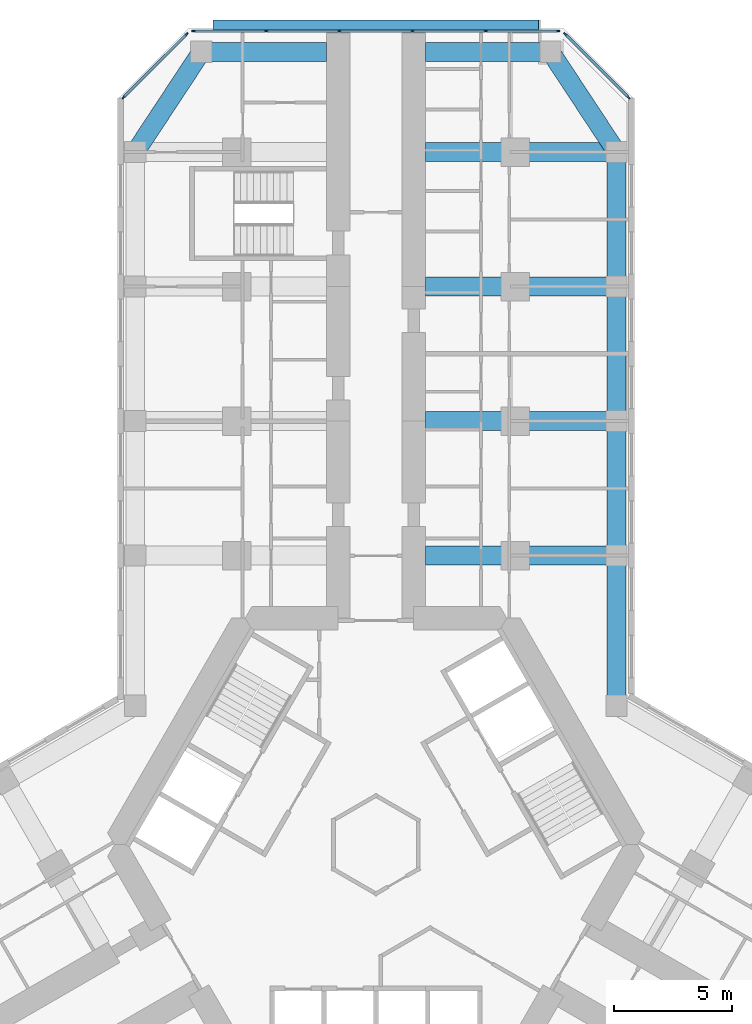
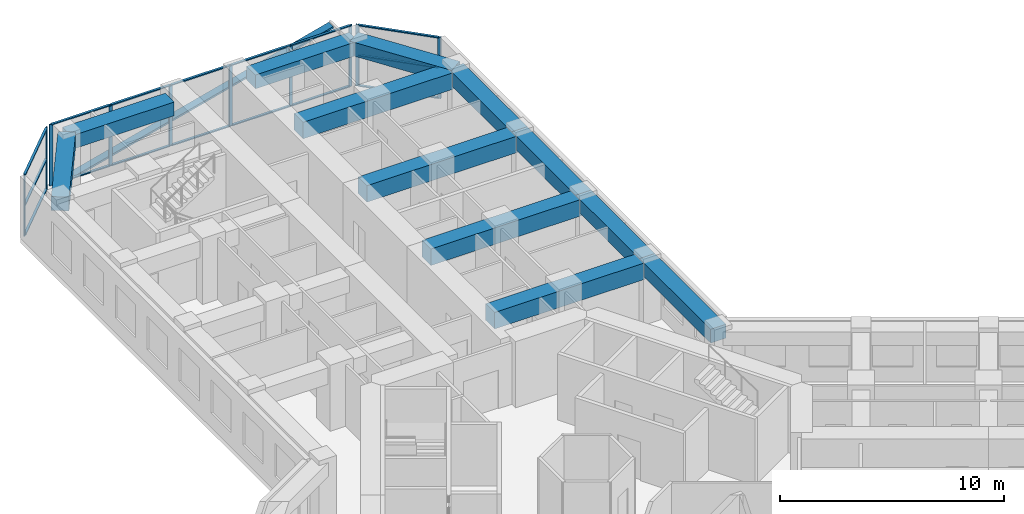
# One storey, part 7 of 21: 27 members, 12 beams, 3 elements without a shape of their own.
"""IFC4 building model written with IfcOpenShell, lengths in metres."""

from ifc_helpers import new_model, si_unit, direction, frame, origin, origin_2d, place, context, subcontext, project, spatial, rectangle, extrude, material, material_profile, profile_set, type_object, element, aggregate, save


model = new_model("IFC4")

# Units and contexts
model_context = context("Model", 3, precision=1e-05, world=origin(), true_north=direction((0.0, 1.0)))
body_context = subcontext(model_context, "Body", "Model", "MODEL_VIEW")
ifc_project = project(units=[si_unit("LENGTHUNIT", "METRE"), si_unit("AREAUNIT", "SQUARE_METRE"), si_unit("VOLUMEUNIT", "CUBIC_METRE"), si_unit("PLANEANGLEUNIT", "RADIAN"), si_unit("MASSUNIT", "GRAM", prefix="KILO")], contexts=[model_context])

# Site, building, storey
site_placement = place(None, origin())
site = spatial("IfcSite", under=ifc_project, at=site_placement, CompositionType="ELEMENT")
building_placement = place(site_placement, origin())
building = spatial("IfcBuilding", under=site, at=building_placement, Name="Kosmar Iwan School Tower", CompositionType="ELEMENT")
storey_placement = place(building_placement, frame((0.0, 0.0, 80.800048828125)))
storey = spatial("IfcBuildingStorey", under=building, at=storey_placement, Name="L19", CompositionType="ELEMENT", Elevation=80.800048828125)

# Member
ifc_material_1 = material(Name="Black anodised aluminium", Category="aluminium")
ifc_material_profile_1 = material_profile(ifc_material_1, rectangle(XDim=0.10009765625, YDim=0.39990234375, at=origin_2d()), Name="FIN 100x400")
ifc_profile_set_1 = profile_set([ifc_material_profile_1], Name="Black anodised aluminium")
member_type_1 = type_object("IfcMemberType", Name="Diagonal fin 100x400", PredefinedType="USERDEFINED", material=ifc_profile_set_1)
member_1_placement = place(storey_placement, frame((-6.898193359375, 34.75, -0.150146484375), z_axis=(0.967599450335, 0.0, 0.252490205179), x_axis=(-0.252490205179, 0.0, 0.967599450335)))
element("IfcMember", 1, at=member_1_placement, inside=storey, type_object=member_type_1, Name="Diagonal fin L19-F08", ObjectType="FIN", PredefinedType="USERDEFINED", context=body_context, shape_type="SweptSolid", body=[
    extrude(rectangle(XDim=0.10009765625, YDim=0.39990234375, at=origin_2d()), origin(), (0.0, 0.0, 1.0), 14.25830078125),
])

# Curtain wall, members
ifc_material_2 = material(Name="Dark glass in black aluminium frame", Category="aluminium")
curtain_wall_type_1 = type_object("IfcCurtainWallType", Name="Chamfer curtain wall dark glass", PredefinedType="USERDEFINED", material=ifc_material_2)
curtain_wall_1_placement = place(storey_placement, origin())
curtain_wall_1 = element("IfcCurtainWall", 2, at=curtain_wall_1_placement, inside=storey, type_object=curtain_wall_type_1, Name="Curtain wall L19-F07", ObjectType="FACETED CURTAIN WALL", PredefinedType="USERDEFINED")
ifc_material_3 = material(Name="Black anodised aluminium", Category="aluminium")
ifc_material_profile_2 = material_profile(ifc_material_3, rectangle(XDim=0.06005859375, YDim=0.159912109375, at=origin_2d()), Name="MULLION 60x160")
ifc_profile_set_2 = profile_set([ifc_material_profile_2], Name="Black anodised aluminium")
member_type_2 = type_object("IfcMemberType", Name="Mullion 60x160", PredefinedType="MULLION", material=ifc_profile_set_2)
member_2_placement = place(storey_placement, frame((10.69775390625, 31.675537109375, 0.0), z_axis=(0.0, 0.0, 1.0), x_axis=(-0.707106781187, -0.707106781187, 0.0)))
member_2 = element("IfcMember", 3, at=member_2_placement, type_object=member_type_2, Name="CW2 mullion 1", PredefinedType="MULLION", context=body_context, shape_type="SweptSolid", body=[
    extrude(rectangle(XDim=0.06005859375, YDim=0.159912109375, at=origin_2d()), origin(), (0.0, 0.0, 1.0), 3.349853515625),
])
member_3_placement = place(storey_placement, frame((8.025390625, 34.34765625, 0.0), z_axis=(0.0, 0.0, 1.0), x_axis=(-0.707106781187, -0.707106781187, 0.0)))
member_3 = element("IfcMember", 4, at=member_3_placement, type_object=member_type_2, Name="CW2 mullion 2", PredefinedType="MULLION", context=body_context, shape_type="SweptSolid", body=[
    extrude(rectangle(XDim=0.06005859375, YDim=0.159912109375, at=origin_2d()), origin(), (0.0, 0.0, 1.0), 3.349853515625),
])

ifc_material_4 = material(Name="Dark glass in black aluminium frame", Category="aluminium")
curtain_wall_type_2 = type_object("IfcCurtainWallType", Name="Tower curtain wall dark glass", PredefinedType="USERDEFINED", material=ifc_material_4)
curtain_wall_2_placement = place(storey_placement, origin())
curtain_wall_2 = element("IfcCurtainWall", 5, at=curtain_wall_2_placement, inside=storey, type_object=curtain_wall_type_2, Name="Curtain wall L19-F08", ObjectType="UNITISED CURTAIN WALL", PredefinedType="USERDEFINED")
member_4_placement = place(storey_placement, frame((7.71826171875, 34.47509765625, 0.0), z_axis=(0.0, 0.0, 1.0), x_axis=(0.0, -1.0, 0.0)))
member_4 = element("IfcMember", 6, at=member_4_placement, type_object=member_type_2, Name="CW1 mullion 1", PredefinedType="MULLION", context=body_context, shape_type="SweptSolid", body=[
    extrude(rectangle(XDim=0.06005859375, YDim=0.159912109375, at=origin_2d()), origin(), (0.0, 0.0, 1.0), 3.349853515625),
])
member_5_placement = place(storey_placement, frame((4.64892578125, 34.47509765625, 0.0), z_axis=(0.0, 0.0, 1.0), x_axis=(0.0, -1.0, 0.0)))
member_5 = element("IfcMember", 7, at=member_5_placement, type_object=member_type_2, Name="CW1 mullion 2", PredefinedType="MULLION", context=body_context, shape_type="SweptSolid", body=[
    extrude(rectangle(XDim=0.06005859375, YDim=0.159912109375, at=origin_2d()), origin(), (0.0, 0.0, 1.0), 3.349853515625),
])
member_6_placement = place(storey_placement, frame((1.549560546875, 34.47509765625, 0.0), z_axis=(0.0, 0.0, 1.0), x_axis=(0.0, -1.0, 0.0)))
member_6 = element("IfcMember", 8, at=member_6_placement, type_object=member_type_2, Name="CW1 mullion 3", PredefinedType="MULLION", context=body_context, shape_type="SweptSolid", body=[
    extrude(rectangle(XDim=0.06005859375, YDim=0.159912109375, at=origin_2d()), origin(), (0.0, 0.0, 1.0), 3.349853515625),
])
member_7_placement = place(storey_placement, frame((-1.549560546875, 34.47509765625, 0.0), z_axis=(0.0, 0.0, 1.0), x_axis=(0.0, -1.0, 0.0)))
member_7 = element("IfcMember", 9, at=member_7_placement, type_object=member_type_2, Name="CW1 mullion 4", PredefinedType="MULLION", context=body_context, shape_type="SweptSolid", body=[
    extrude(rectangle(XDim=0.06005859375, YDim=0.159912109375, at=origin_2d()), origin(), (0.0, 0.0, 1.0), 3.349853515625),
])
member_8_placement = place(storey_placement, frame((-4.64892578125, 34.47509765625, 0.0), z_axis=(0.0, 0.0, 1.0), x_axis=(0.0, -1.0, 0.0)))
member_8 = element("IfcMember", 10, at=member_8_placement, type_object=member_type_2, Name="CW1 mullion 5", PredefinedType="MULLION", context=body_context, shape_type="SweptSolid", body=[
    extrude(rectangle(XDim=0.06005859375, YDim=0.159912109375, at=origin_2d()), origin(), (0.0, 0.0, 1.0), 3.349853515625),
])
member_9_placement = place(storey_placement, frame((-7.71826171875, 34.47509765625, 0.0), z_axis=(0.0, 0.0, 1.0), x_axis=(0.0, -1.0, 0.0)))
member_9 = element("IfcMember", 11, at=member_9_placement, type_object=member_type_2, Name="CW1 mullion 6", PredefinedType="MULLION", context=body_context, shape_type="SweptSolid", body=[
    extrude(rectangle(XDim=0.06005859375, YDim=0.159912109375, at=origin_2d()), origin(), (0.0, 0.0, 1.0), 3.349853515625),
])

curtain_wall_3_placement = place(storey_placement, origin())
curtain_wall_3 = element("IfcCurtainWall", 12, at=curtain_wall_3_placement, inside=storey, type_object=curtain_wall_type_1, Name="Curtain wall L19-F09", ObjectType="FACETED CURTAIN WALL", PredefinedType="USERDEFINED")
member_10_placement = place(storey_placement, frame((-8.025390625, 34.34765625, 0.0), z_axis=(0.0, 0.0, 1.0), x_axis=(0.707106781187, -0.707106781187, 0.0)))
member_10 = element("IfcMember", 13, at=member_10_placement, type_object=member_type_2, Name="CW2 mullion 1", PredefinedType="MULLION", context=body_context, shape_type="SweptSolid", body=[
    extrude(rectangle(XDim=0.06005859375, YDim=0.159912109375, at=origin_2d()), origin(), (0.0, 0.0, 1.0), 3.349853515625),
])
member_11_placement = place(storey_placement, frame((-10.69775390625, 31.675537109375, 0.0), z_axis=(0.0, 0.0, 1.0), x_axis=(0.707106781187, -0.707106781187, 0.0)))
member_11 = element("IfcMember", 14, at=member_11_placement, type_object=member_type_2, Name="CW2 mullion 2", PredefinedType="MULLION", context=body_context, shape_type="SweptSolid", body=[
    extrude(rectangle(XDim=0.06005859375, YDim=0.159912109375, at=origin_2d()), origin(), (0.0, 0.0, 1.0), 3.349853515625),
])

# Beams
ifc_material_5 = material(Name="Concrete C50/60", Category="concrete")
ifc_material_profile_3 = material_profile(ifc_material_5, rectangle(XDim=0.800048828125, YDim=0.75, at=origin_2d()), Name="RC 800x750")
ifc_profile_set_3 = profile_set([ifc_material_profile_3], Name="Concrete C50/60")
beam_type_1 = type_object("IfcBeamType", Name="RC edge beam 800x750", PredefinedType="BEAM", material=ifc_profile_set_3)
beam_1_placement = place(storey_placement, frame((10.199951171875, 5.888916015625, 2.974853515625), z_axis=(0.0, 1.0, 0.0), x_axis=(-1.0, 0.0, 0.0)))
element("IfcBeam", 15, at=beam_1_placement, inside=storey, type_object=beam_type_1, Name="Edge beam AR1", PredefinedType="BEAM", context=body_context, shape_type="SweptSolid", body=[
    extrude(rectangle(XDim=0.800048828125, YDim=0.75, at=origin_2d()), origin(), (0.0, 0.0, 1.0), 6.361083984375),
])
for number, where, z_axis, x_axis, name in (
    (16, (10.199951171875, 12.25, 2.974853515625), (0.0, 1.0, 0.0), (-1.0, 0.0, 0.0), "Edge beam AR2"),
    (17, (10.199951171875, 17.949951171875, 2.974853515625), (0.0, 1.0, 0.0), (-1.0, 0.0, 0.0), "Edge beam AR3"),
):
    element("IfcBeam", number, at=place(storey_placement, frame(where, z_axis=z_axis, x_axis=x_axis)), inside=storey, type_object=beam_type_1, Name=name, PredefinedType="BEAM", context=body_context, shape_type="SweptSolid", body=[
        extrude(rectangle(XDim=0.800048828125, YDim=0.75, at=origin_2d()), origin(), (0.0, 0.0, 1.0), 5.699951171875),
    ])
beam_2_placement = place(storey_placement, frame((10.199951171875, 23.64990234375, 2.974853515625), z_axis=(0.0, 1.0, 0.0), x_axis=(-1.0, 0.0, 0.0)))
element("IfcBeam", 18, at=beam_2_placement, inside=storey, type_object=beam_type_1, Name="Edge beam AR4", PredefinedType="BEAM", context=body_context, shape_type="SweptSolid", body=[
    extrude(rectangle(XDim=0.800048828125, YDim=0.75, at=origin_2d()), origin(), (0.0, 0.0, 1.0), 5.7001953125),
])
ifc_material_6 = material(Name="Concrete C50/60", Category="concrete")
ifc_material_profile_4 = material_profile(ifc_material_6, rectangle(XDim=0.800048828125, YDim=0.75, at=origin_2d()), Name="RC 800x750")
ifc_profile_set_4 = profile_set([ifc_material_profile_4], Name="Concrete C50/60")
beam_type_2 = type_object("IfcBeamType", Name="RC tip beam 800x750", PredefinedType="BEAM", material=ifc_profile_set_4)
beam_3_placement = place(storey_placement, frame((-10.199951171875, 29.35009765625, 2.974853515625), z_axis=(0.550164383043, 0.835056376319, 0.0), x_axis=(-0.835056376319, 0.550164383043, 0.0)))
element("IfcBeam", 19, at=beam_3_placement, inside=storey, type_object=beam_type_2, Name="Tip beam AL", PredefinedType="BEAM", context=body_context, shape_type="SweptSolid", body=[
    extrude(rectangle(XDim=0.800048828125, YDim=0.75, at=origin_2d()), origin(), (0.0, 0.0, 1.0), 5.08935546875),
])
beam_4_placement = place(storey_placement, frame((-7.39990234375, 33.60009765625, 2.974853515625), z_axis=(1.0, 0.0, 0.0), x_axis=(0.0, 1.0, 0.0)))
element("IfcBeam", 20, at=beam_4_placement, inside=storey, type_object=beam_type_2, Name="Tip beam AL to corridor wall", PredefinedType="BEAM", context=body_context, shape_type="SweptSolid", body=[
    extrude(rectangle(XDim=0.800048828125, YDim=0.75, at=origin_2d()), origin(), (0.0, 0.0, 1.0), 5.2998046875),
])
beam_5_placement = place(storey_placement, frame((10.199951171875, 29.35009765625, 2.974853515625), z_axis=(-0.550164383043, 0.835056376319, 0.0), x_axis=(-0.835056376319, -0.550164383043, 0.0)))
element("IfcBeam", 21, at=beam_5_placement, inside=storey, type_object=beam_type_2, Name="Tip beam AR", PredefinedType="BEAM", context=body_context, shape_type="SweptSolid", body=[
    extrude(rectangle(XDim=0.800048828125, YDim=0.75, at=origin_2d()), origin(), (0.0, 0.0, 1.0), 5.08935546875),
])
beam_6_placement = place(storey_placement, frame((7.39990234375, 33.60009765625, 2.974853515625), z_axis=(-1.0, 0.0, 0.0), x_axis=(0.0, -1.0, 0.0)))
element("IfcBeam", 22, at=beam_6_placement, inside=storey, type_object=beam_type_2, Name="Tip beam AR to corridor wall", PredefinedType="BEAM", context=body_context, shape_type="SweptSolid", body=[
    extrude(rectangle(XDim=0.800048828125, YDim=0.75, at=origin_2d()), origin(), (0.0, 0.0, 1.0), 5.2998046875),
])
ifc_material_7 = material(Name="Concrete C50/60", Category="concrete")
ifc_material_profile_5 = material_profile(ifc_material_7, rectangle(XDim=0.800048828125, YDim=0.89990234375, at=origin_2d()), Name="RC 800x900")
ifc_profile_set_5 = profile_set([ifc_material_profile_5], Name="Concrete C50/60")
beam_type_3 = type_object("IfcBeamType", Name="RC transverse beam 800x900", PredefinedType="BEAM", material=ifc_profile_set_5)
for number, where, z_axis, x_axis, name in (
    (23, (10.199951171875, 12.25, 2.89990234375), (-1.0, 0.0, 0.0), (0.0, -1.0, 0.0), "Transverse beam AR1"),
    (24, (10.199951171875, 17.949951171875, 2.89990234375), (-1.0, 0.0, 0.0), (0.0, -1.0, 0.0), "Transverse beam AR2"),
    (25, (10.199951171875, 23.64990234375, 2.89990234375), (-1.0, 0.0, 0.0), (0.0, -1.0, 0.0), "Transverse beam AR3"),
    (26, (10.199951171875, 29.35009765625, 2.89990234375), (-1.0, 0.0, 0.0), (0.0, -1.0, 0.0), "Transverse beam AR4"),
):
    element("IfcBeam", number, at=place(storey_placement, frame(where, z_axis=z_axis, x_axis=x_axis)), inside=storey, type_object=beam_type_3, Name=name, PredefinedType="BEAM", context=body_context, shape_type="SweptSolid", body=[
        extrude(rectangle(XDim=0.800048828125, YDim=0.89990234375, at=origin_2d()), origin(), (0.0, 0.0, 1.0), 8.099853515625),
    ])

# Member
ifc_material_8 = material(Name="Black anodised aluminium", Category="aluminium")
ifc_material_profile_6 = material_profile(ifc_material_8, rectangle(XDim=0.1201171875, YDim=0.06005859375, at=origin_2d()), Name="TRANSOM 60x120")
ifc_profile_set_6 = profile_set([ifc_material_profile_6], Name="Black anodised aluminium")
member_type_3 = type_object("IfcMemberType", Name="Transom 60x120", PredefinedType="USERDEFINED", material=ifc_profile_set_6)
member_12_placement = place(storey_placement, frame((10.676513671875, 31.69677734375, 0.030029296875), z_axis=(-0.707139603466, 0.707073957383, 0.0), x_axis=(-0.707073957383, -0.707139603466, 0.0)))
member_12 = element("IfcMember", 27, at=member_12_placement, type_object=member_type_3, Name="CW2 transom 1.1", ObjectType="TRANSOM", PredefinedType="USERDEFINED", context=body_context, shape_type="SweptSolid", body=[
    extrude(rectangle(XDim=0.1201171875, YDim=0.06005859375, at=origin_2d()), origin(), (0.0, 0.0, 1.0), 3.718994140625),
])

member_13_placement = place(storey_placement, frame((10.676513671875, 31.69677734375, 1.675048828125), z_axis=(-0.707139603466, 0.707073957383, 0.0), x_axis=(-0.707073957383, -0.707139603466, 0.0)))
member_13 = element("IfcMember", 28, at=member_13_placement, type_object=member_type_3, Name="CW2 transom 1.2", ObjectType="TRANSOM", PredefinedType="USERDEFINED", context=body_context, shape_type="SweptSolid", body=[
    extrude(rectangle(XDim=0.1201171875, YDim=0.06005859375, at=origin_2d()), origin(), (0.0, 0.0, 1.0), 3.718994140625),
])

member_14_placement = place(storey_placement, frame((10.676513671875, 31.69677734375, 3.320068359375), z_axis=(-0.707139603466, 0.707073957383, 0.0), x_axis=(-0.707073957383, -0.707139603466, 0.0)))
member_14 = element("IfcMember", 29, at=member_14_placement, type_object=member_type_3, Name="CW2 transom 1.3", ObjectType="TRANSOM", PredefinedType="USERDEFINED", context=body_context, shape_type="SweptSolid", body=[
    extrude(rectangle(XDim=0.1201171875, YDim=0.06005859375, at=origin_2d()), origin(), (0.0, 0.0, 1.0), 3.718994140625),
])

aggregate(curtain_wall_1, [member_2, member_3, member_12, member_13, member_14])

member_15_placement = place(storey_placement, frame((7.688232421875, 34.47509765625, 0.030029296875), z_axis=(-1.0, 0.0, 0.0), x_axis=(0.0, -1.0, 0.0)))
member_15 = element("IfcMember", 30, at=member_15_placement, type_object=member_type_3, Name="CW1 transom 1.1", ObjectType="TRANSOM", PredefinedType="USERDEFINED", context=body_context, shape_type="SweptSolid", body=[
    extrude(rectangle(XDim=0.1201171875, YDim=0.06005859375, at=origin_2d()), origin(), (0.0, 0.0, 1.0), 3.00927734375),
])

member_16_placement = place(storey_placement, frame((7.688232421875, 34.47509765625, 3.320068359375), z_axis=(-1.0, 0.0, 0.0), x_axis=(0.0, -1.0, 0.0)))
member_16 = element("IfcMember", 31, at=member_16_placement, type_object=member_type_3, Name="CW1 transom 1.2", ObjectType="TRANSOM", PredefinedType="USERDEFINED", context=body_context, shape_type="SweptSolid", body=[
    extrude(rectangle(XDim=0.1201171875, YDim=0.06005859375, at=origin_2d()), origin(), (0.0, 0.0, 1.0), 3.00927734375),
])

member_17_placement = place(storey_placement, frame((4.618896484375, 34.47509765625, 0.030029296875), z_axis=(-1.0, 0.0, 0.0), x_axis=(0.0, -1.0, 0.0)))
member_17 = element("IfcMember", 32, at=member_17_placement, type_object=member_type_3, Name="CW1 transom 2.1", ObjectType="TRANSOM", PredefinedType="USERDEFINED", context=body_context, shape_type="SweptSolid", body=[
    extrude(rectangle(XDim=0.1201171875, YDim=0.06005859375, at=origin_2d()), origin(), (0.0, 0.0, 1.0), 3.039306640625),
])

member_18_placement = place(storey_placement, frame((4.618896484375, 34.47509765625, 3.320068359375), z_axis=(-1.0, 0.0, 0.0), x_axis=(0.0, -1.0, 0.0)))
member_18 = element("IfcMember", 33, at=member_18_placement, type_object=member_type_3, Name="CW1 transom 2.2", ObjectType="TRANSOM", PredefinedType="USERDEFINED", context=body_context, shape_type="SweptSolid", body=[
    extrude(rectangle(XDim=0.1201171875, YDim=0.06005859375, at=origin_2d()), origin(), (0.0, 0.0, 1.0), 3.039306640625),
])

member_19_placement = place(storey_placement, frame((1.51953125, 34.47509765625, 0.030029296875), z_axis=(-1.0, 0.0, 0.0), x_axis=(0.0, -1.0, 0.0)))
member_19 = element("IfcMember", 34, at=member_19_placement, type_object=member_type_3, Name="CW1 transom 3.1", ObjectType="TRANSOM", PredefinedType="USERDEFINED", context=body_context, shape_type="SweptSolid", body=[
    extrude(rectangle(XDim=0.1201171875, YDim=0.06005859375, at=origin_2d()), origin(), (0.0, 0.0, 1.0), 3.0390625),
])

member_20_placement = place(storey_placement, frame((1.51953125, 34.47509765625, 3.320068359375), z_axis=(-1.0, 0.0, 0.0), x_axis=(0.0, -1.0, 0.0)))
member_20 = element("IfcMember", 35, at=member_20_placement, type_object=member_type_3, Name="CW1 transom 3.2", ObjectType="TRANSOM", PredefinedType="USERDEFINED", context=body_context, shape_type="SweptSolid", body=[
    extrude(rectangle(XDim=0.1201171875, YDim=0.06005859375, at=origin_2d()), origin(), (0.0, 0.0, 1.0), 3.0390625),
])

member_21_placement = place(storey_placement, frame((-1.57958984375, 34.47509765625, 0.030029296875), z_axis=(-1.0, 0.0, 0.0), x_axis=(0.0, -1.0, 0.0)))
member_21 = element("IfcMember", 36, at=member_21_placement, type_object=member_type_3, Name="CW1 transom 4.1", ObjectType="TRANSOM", PredefinedType="USERDEFINED", context=body_context, shape_type="SweptSolid", body=[
    extrude(rectangle(XDim=0.1201171875, YDim=0.06005859375, at=origin_2d()), origin(), (0.0, 0.0, 1.0), 3.039306640625),
])

member_22_placement = place(storey_placement, frame((-1.57958984375, 34.47509765625, 3.320068359375), z_axis=(-1.0, 0.0, 0.0), x_axis=(0.0, -1.0, 0.0)))
member_22 = element("IfcMember", 37, at=member_22_placement, type_object=member_type_3, Name="CW1 transom 4.2", ObjectType="TRANSOM", PredefinedType="USERDEFINED", context=body_context, shape_type="SweptSolid", body=[
    extrude(rectangle(XDim=0.1201171875, YDim=0.06005859375, at=origin_2d()), origin(), (0.0, 0.0, 1.0), 3.039306640625),
])

member_23_placement = place(storey_placement, frame((-4.678955078125, 34.47509765625, 0.030029296875), z_axis=(-1.0, 0.0, 0.0), x_axis=(0.0, -1.0, 0.0)))
member_23 = element("IfcMember", 38, at=member_23_placement, type_object=member_type_3, Name="CW1 transom 5.1", ObjectType="TRANSOM", PredefinedType="USERDEFINED", context=body_context, shape_type="SweptSolid", body=[
    extrude(rectangle(XDim=0.1201171875, YDim=0.06005859375, at=origin_2d()), origin(), (0.0, 0.0, 1.0), 3.00927734375),
])

member_24_placement = place(storey_placement, frame((-4.678955078125, 34.47509765625, 3.320068359375), z_axis=(-1.0, 0.0, 0.0), x_axis=(0.0, -1.0, 0.0)))
member_24 = element("IfcMember", 39, at=member_24_placement, type_object=member_type_3, Name="CW1 transom 5.2", ObjectType="TRANSOM", PredefinedType="USERDEFINED", context=body_context, shape_type="SweptSolid", body=[
    extrude(rectangle(XDim=0.1201171875, YDim=0.06005859375, at=origin_2d()), origin(), (0.0, 0.0, 1.0), 3.00927734375),
])

aggregate(curtain_wall_2, [member_4, member_5, member_6, member_7, member_8, member_9, member_15, member_16, member_17, member_18, member_19, member_20, member_21, member_22, member_23, member_24])

member_25_placement = place(storey_placement, frame((-8.046630859375, 34.326416015625, 0.030029296875), z_axis=(-0.707139603466, -0.707073957383, 0.0), x_axis=(0.707073957383, -0.707139603466, 0.0)))
member_25 = element("IfcMember", 40, at=member_25_placement, type_object=member_type_3, Name="CW2 transom 1.1", ObjectType="TRANSOM", PredefinedType="USERDEFINED", context=body_context, shape_type="SweptSolid", body=[
    extrude(rectangle(XDim=0.1201171875, YDim=0.06005859375, at=origin_2d()), origin(), (0.0, 0.0, 1.0), 3.718994140625),
])

member_26_placement = place(storey_placement, frame((-8.046630859375, 34.326416015625, 1.675048828125), z_axis=(-0.707139603466, -0.707073957383, 0.0), x_axis=(0.707073957383, -0.707139603466, 0.0)))
member_26 = element("IfcMember", 41, at=member_26_placement, type_object=member_type_3, Name="CW2 transom 1.2", ObjectType="TRANSOM", PredefinedType="USERDEFINED", context=body_context, shape_type="SweptSolid", body=[
    extrude(rectangle(XDim=0.1201171875, YDim=0.06005859375, at=origin_2d()), origin(), (0.0, 0.0, 1.0), 3.718994140625),
])

member_27_placement = place(storey_placement, frame((-8.046630859375, 34.326416015625, 3.320068359375), z_axis=(-0.707139603466, -0.707073957383, 0.0), x_axis=(0.707073957383, -0.707139603466, 0.0)))
member_27 = element("IfcMember", 42, at=member_27_placement, type_object=member_type_3, Name="CW2 transom 1.3", ObjectType="TRANSOM", PredefinedType="USERDEFINED", context=body_context, shape_type="SweptSolid", body=[
    extrude(rectangle(XDim=0.1201171875, YDim=0.06005859375, at=origin_2d()), origin(), (0.0, 0.0, 1.0), 3.718994140625),
])

aggregate(curtain_wall_3, [member_10, member_11, member_25, member_26, member_27])

save(model, "model.ifc")
